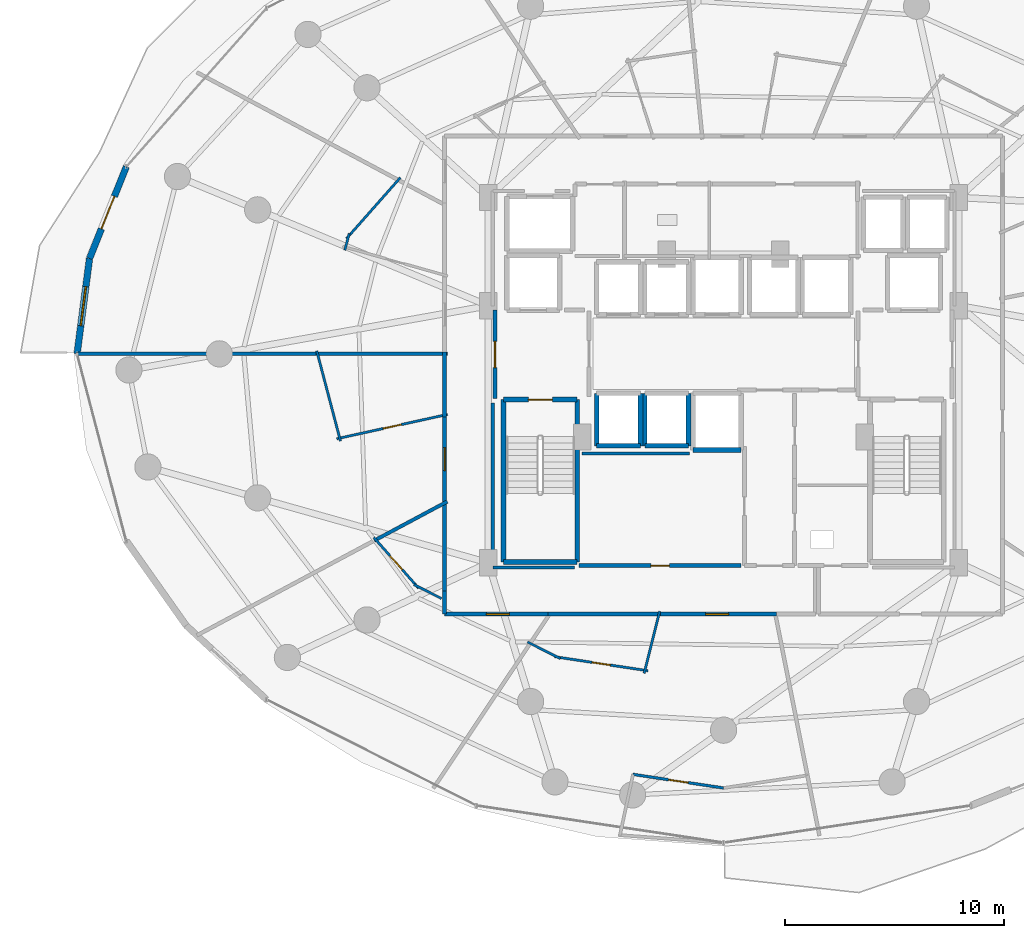
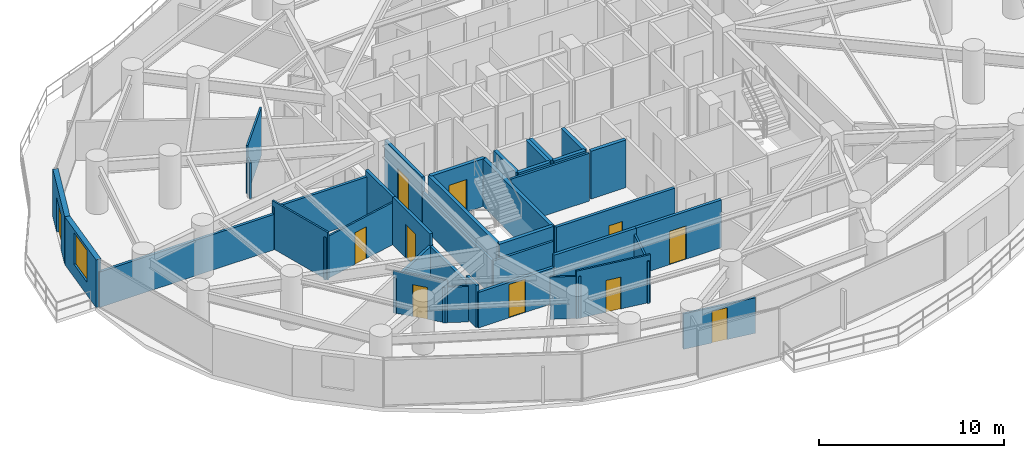
# One storey, part 26 of 34: 38 walls, 11 doors, 1 window, 12 openings.
"""IFC4 building model written with IfcOpenShell, lengths in metres."""

from ifc_helpers import new_model, si_unit, direction, frame, frame_2d, origin, place, context, subcontext, project, spatial, rectangle, extrude, material, layer, layer_set, type_object, element, fill, save


model = new_model("IFC4")

# Units and contexts
model_context = context("Model", 3, precision=1e-05, world=origin(), true_north=direction((0.0, 1.0)))
body_context = subcontext(model_context, "Body", "Model", "MODEL_VIEW")
ifc_project = project(units=[si_unit("LENGTHUNIT", "METRE"), si_unit("AREAUNIT", "SQUARE_METRE"), si_unit("VOLUMEUNIT", "CUBIC_METRE"), si_unit("PLANEANGLEUNIT", "RADIAN"), si_unit("MASSUNIT", "GRAM", prefix="KILO")], contexts=[model_context])

# Site, building, storey
site_placement = place(None, origin())
site = spatial("IfcSite", under=ifc_project, at=site_placement, CompositionType="ELEMENT")
building_placement = place(site_placement, origin())
building = spatial("IfcBuilding", under=site, at=building_placement, Name="Vorneva Point Tower", CompositionType="ELEMENT")
storey_placement = place(building_placement, frame((0.0, 0.0, 66.0)))
storey = spatial("IfcBuildingStorey", under=building, at=storey_placement, Name="L17", CompositionType="ELEMENT", Elevation=66.0)

# Wall, opening, door
ifc_material_1 = material(Name="Precast concrete B50 (C40/50)", Category="concrete")
ifc_layer_1 = layer(ifc_material_1, 0.300048828125)
ifc_layer_set_1 = layer_set([ifc_layer_1], Name="Precast concrete B50 (C40/50)")
wall_type_1 = type_object("IfcWallType", Name="WL-EXT-300", PredefinedType="STANDARD", material=ifc_layer_set_1)
wall_1_placement = place(storey_placement, frame((10.699462890625, 34.552978515625, 0.0), z_axis=(0.0, 0.0, 1.0), x_axis=(-0.372266423315, -0.928125912833, 0.0)))
wall_1 = element("IfcWall", 1, at=wall_1_placement, inside=storey, type_object=wall_type_1, Name="L17 Pale-Metal Facade Spandrel Wall 08.1", PredefinedType="STANDARD", context=body_context, shape_type="SweptSolid", body=[
    extrude(rectangle(XDim=4.517333984375, YDim=0.300048828125, at=frame_2d((2.2587890625, 0.0))), origin(), (0.0, 0.0, 1.0), 3.14990234375),
])
opening_1_placement = place(wall_1_placement, frame((1.458740234375, 0.0, 0.0)))
opening_1 = element("IfcOpeningElement", 2, at=opening_1_placement, cuts=wall_1, Name="Opening BD-01", PredefinedType="OPENING", context=body_context, shape_type="SweptSolid", body=[
    extrude(rectangle(XDim=1.60009765625, YDim=2.300048828125, at=frame_2d((0.800048828125, 1.14990234375))), frame((0.0, 0.1650390625, 0.0), z_axis=(0.0, -1.0, 0.0), x_axis=(1.0, 0.0, 0.0)), (0.0, 0.0, 1.0), 0.329833984375),
])
ifc_material_2 = material(Name="Pale anodised aluminium", Category="aluminium")
door_type_1 = type_object("IfcDoorType", Name="DR-BAL-1600", OperationType="SLIDING_TO_LEFT", PredefinedType="DOOR", material=ifc_material_2)
door_1_placement = place(opening_1_placement, origin())
door_1 = element("IfcDoor", 3, at=door_1_placement, inside=storey, type_object=door_type_1, Name="L17 Balcony Terrace Access Door 08", OperationType="SLIDING_TO_LEFT", OverallHeight=2.300048828125, OverallWidth=1.60009765625, PredefinedType="DOOR", context=body_context, shape_type="SweptSolid", body=[
    extrude(rectangle(XDim=1.60009765625, YDim=2.300048828125, at=frame_2d((0.800048828125, 1.14990234375))), frame((0.0, 0.02490234375, 0.0), z_axis=(0.0, -1.0, 0.0), x_axis=(1.0, 0.0, 0.0)), (0.0, 0.0, 1.0), 0.050048828125),
])
fill(opening_1, door_1)

# Wall, opening, window
wall_2_placement = place(storey_placement, frame((9.017822265625, 30.3603515625, 0.0), z_axis=(0.0, 0.0, 1.0), x_axis=(-0.129144544413, -0.99162577954, 0.0)))
wall_2 = element("IfcWall", 4, at=wall_2_placement, inside=storey, type_object=wall_type_1, Name="L17 Pale-Metal Facade Spandrel Wall 08.2", PredefinedType="STANDARD", context=body_context, shape_type="SweptSolid", body=[
    extrude(rectangle(XDim=4.397216796875, YDim=0.300048828125, at=frame_2d((2.19873046875, 0.0))), origin(), (0.0, 0.0, 1.0), 3.14990234375),
])
opening_2_placement = place(wall_2_placement, frame((1.298583984375, 0.0, 0.85009765625)))
opening_2 = element("IfcOpeningElement", 5, at=opening_2_placement, cuts=wall_2, Name="Opening W-01", PredefinedType="OPENING", context=body_context, shape_type="SweptSolid", body=[
    extrude(rectangle(XDim=1.800048828125, YDim=2.10009765625, at=frame_2d((0.89990234375, 1.050048828125))), frame((0.0, 0.1650390625, 0.0), z_axis=(0.0, -1.0, 0.0), x_axis=(1.0, 0.0, 0.0)), (0.0, 0.0, 1.0), 0.329833984375),
])
ifc_material_3 = material(Name="Double low-e laminated glass IGU", Category="glass")
window_type = type_object("IfcWindowType", Name="WN-LOG-1800", PartitioningType="SINGLE_PANEL", PredefinedType="WINDOW", material=ifc_material_3)
window_placement = place(opening_2_placement, origin())
window = element("IfcWindow", 6, at=window_placement, inside=storey, type_object=window_type, Name="L17 Facade Window 08", OverallHeight=2.10009765625, OverallWidth=1.800048828125, PartitioningType="SINGLE_PANEL", PredefinedType="WINDOW", context=body_context, shape_type="SweptSolid", body=[
    extrude(rectangle(XDim=1.800048828125, YDim=2.10009765625, at=frame_2d((0.89990234375, 1.050048828125))), frame((0.0, 0.030029296875, 0.0), z_axis=(0.0, -1.0, 0.0), x_axis=(1.0, 0.0, 0.0)), (0.0, 0.0, 1.0), 0.06005859375),
])
fill(opening_2, window)

# Walls
ifc_material_4 = material(Name="Fire-rated acoustic gypsum stud partition", Category="gypsum")
ifc_layer_2 = layer(ifc_material_4, 0.110107421875)
ifc_layer_set_2 = layer_set([ifc_layer_2], Name="Fire-rated acoustic gypsum stud partition")
wall_type_2 = type_object("IfcWallType", Name="WL-PART-110", PredefinedType="PARTITIONING", material=ifc_layer_set_2)
wall_3_placement = place(storey_placement, frame((20.686279296875, 30.737548828125, 0.0), z_axis=(0.0, 0.0, 1.0), x_axis=(0.254583995409, 0.967050665313, 0.0)))
element("IfcWall", 7, at=wall_3_placement, inside=storey, type_object=wall_type_2, Name="L17 Interior Partition 070", PredefinedType="PARTITIONING", context=body_context, shape_type="SweptSolid", body=[
    extrude(rectangle(XDim=0.794921875, YDim=0.110107421875, at=frame_2d((0.3974609375, 0.0))), origin(), (0.0, 0.0, 1.0), 2.342041015625),
])
wall_4_placement = place(storey_placement, frame((20.76025390625, 31.26611328125, 0.0), z_axis=(0.0, 0.0, 1.0), x_axis=(0.662136072578, 0.74938362765, 0.0)))
element("IfcWall", 8, at=wall_4_placement, inside=storey, type_object=wall_type_2, Name="L17 Interior Partition 071", PredefinedType="PARTITIONING", context=body_context, shape_type="SweptSolid", body=[
    extrude(rectangle(XDim=3.718994140625, YDim=0.110107421875, at=frame_2d((1.859375, 0.0))), origin(), (0.0, 0.0, 1.0), 3.14990234375),
])
wall_5_placement = place(storey_placement, frame((20.488525390625, 22.0146484375, 0.0), z_axis=(0.0, 0.0, 1.0), x_axis=(-0.254448175288, 0.967086410872, 0.0)))
element("IfcWall", 9, at=wall_5_placement, inside=storey, type_object=wall_type_2, Name="L17 Interior Partition 075", PredefinedType="PARTITIONING", context=body_context, shape_type="SweptSolid", body=[
    extrude(rectangle(XDim=4.260986328125, YDim=0.110107421875, at=frame_2d((2.13037109375, 0.0))), origin(), (0.0, 0.0, 1.0), 3.14990234375),
])

# Wall, opening, door
wall_6_placement = place(storey_placement, frame((25.38671875, 23.23291015625, 0.0), z_axis=(0.0, 0.0, 1.0), x_axis=(-0.976752510269, -0.214370085796, 0.0)))
wall_6 = element("IfcWall", 10, at=wall_6_placement, inside=storey, type_object=wall_type_2, Name="L17 Interior Partition 076", PredefinedType="PARTITIONING", context=body_context, shape_type="SweptSolid", body=[
    extrude(rectangle(XDim=5.19091796875, YDim=0.110107421875, at=frame_2d((2.595458984375, 0.0))), origin(), (0.0, 0.0, 1.0), 2.783935546875),
])
opening_3_placement = place(wall_6_placement, frame((2.170654296875, 0.0, 0.0)))
opening_3 = element("IfcOpeningElement", 11, at=opening_3_placement, cuts=wall_6, Name="Opening ID-02", PredefinedType="OPENING", context=body_context, shape_type="SweptSolid", body=[
    extrude(rectangle(XDim=0.85009765625, YDim=2.10009765625, at=frame_2d((0.425048828125, 1.050048828125))), frame((0.0, 0.06982421875, 0.0), z_axis=(0.0, -1.0, 0.0), x_axis=(1.0, 0.0, 0.0)), (0.0, 0.0, 1.0), 0.139892578125),
])
ifc_material_5 = material(Name="Engineered oak fire-rated door leaf", Category="wood")
door_type_2 = type_object("IfcDoorType", Name="DR-BATH-850", OperationType="NOTDEFINED", PredefinedType="DOOR", material=ifc_material_5)
door_2_placement = place(opening_3_placement, origin())
door_2 = element("IfcDoor", 12, at=door_2_placement, inside=storey, type_object=door_type_2, Name="L17 Door Executive Suite L17-07 / En-Suite Bathroom L17-07", OperationType="SINGLE_SWING_LEFT", OverallHeight=2.10009765625, OverallWidth=0.85009765625, PredefinedType="DOOR", context=body_context, shape_type="SweptSolid", body=[
    extrude(rectangle(XDim=0.85009765625, YDim=2.10009765625, at=frame_2d((0.425048828125, 1.050048828125))), frame((0.0, 0.02490234375, 0.0), z_axis=(0.0, -1.0, 0.0), x_axis=(1.0, 0.0, 0.0)), (0.0, 0.0, 1.0), 0.050048828125),
])
fill(opening_3, door_2)

# Wall
wall_7_placement = place(storey_placement, frame((25.10595703125, 14.81689453125, 0.0), z_axis=(0.0, 0.0, 1.0), x_axis=(-0.892342346526, 0.451359210161, 0.0)))
element("IfcWall", 13, at=wall_7_placement, inside=storey, type_object=wall_type_2, Name="L17 Interior Partition 079", PredefinedType="PARTITIONING", context=body_context, shape_type="SweptSolid", body=[
    extrude(rectangle(XDim=1.411865234375, YDim=0.110107421875, at=frame_2d((0.7060546875, 0.0))), origin(), (0.0, 0.0, 1.0), 2.342041015625),
])

# Wall, opening, door
wall_8_placement = place(storey_placement, frame((24.063720703125, 15.2861328125, 0.0), z_axis=(0.0, 0.0, 1.0), x_axis=(-0.662165912504, 0.749357260802, 0.0)))
wall_8 = element("IfcWall", 14, at=wall_8_placement, inside=storey, type_object=wall_type_2, Name="L17 Interior Partition 080", PredefinedType="PARTITIONING", context=body_context, shape_type="SweptSolid", body=[
    extrude(rectangle(XDim=3.099609375, YDim=0.110107421875, at=frame_2d((1.5498046875, 0.0))), origin(), (0.0, 0.0, 1.0), 2.783935546875),
])
opening_4_placement = place(wall_8_placement, frame((1.124755859375, 0.0, 0.0)))
opening_4 = element("IfcOpeningElement", 15, at=opening_4_placement, cuts=wall_8, Name="Opening ID-02", PredefinedType="OPENING", context=body_context, shape_type="SweptSolid", body=[
    extrude(rectangle(XDim=0.85009765625, YDim=2.10009765625, at=frame_2d((0.425048828125, 1.050048828125))), frame((0.0, 0.06982421875, 0.0), z_axis=(0.0, -1.0, 0.0), x_axis=(1.0, 0.0, 0.0)), (0.0, 0.0, 1.0), 0.139892578125),
])
door_3_placement = place(opening_4_placement, origin())
door_3 = element("IfcDoor", 16, at=door_3_placement, inside=storey, type_object=door_type_2, Name="L17 Door Corner Suite L17-08 / En-Suite Bathroom L17-08", OperationType="SINGLE_SWING_RIGHT", OverallHeight=2.10009765625, OverallWidth=0.85009765625, PredefinedType="DOOR", context=body_context, shape_type="SweptSolid", body=[
    extrude(rectangle(XDim=0.85009765625, YDim=2.10009765625, at=frame_2d((0.425048828125, 1.050048828125))), frame((0.0, 0.02490234375, 0.0), z_axis=(0.0, -1.0, 0.0), x_axis=(1.0, 0.0, 0.0)), (0.0, 0.0, 1.0), 0.050048828125),
])
fill(opening_4, door_3)

# Wall
wall_9_placement = place(storey_placement, frame((35.077880859375, 14.23583984375, 0.0), z_axis=(0.0, 0.0, 1.0), x_axis=(-0.241139515231, -0.97049046064, 0.0)))
element("IfcWall", 17, at=wall_9_placement, inside=storey, type_object=wall_type_2, Name="L17 Interior Partition 082", PredefinedType="PARTITIONING", context=body_context, shape_type="SweptSolid", body=[
    extrude(rectangle(XDim=2.921875, YDim=0.110107421875, at=frame_2d((1.4609375, 0.0))), origin(), (0.0, 0.0, 1.0), 2.783935546875),
])

# Wall, opening, door
wall_10_placement = place(storey_placement, frame((34.54541015625, 11.51513671875, 0.0), z_axis=(0.0, 0.0, 1.0), x_axis=(-0.98886251361, 0.148831882259, 0.0)))
wall_10 = element("IfcWall", 18, at=wall_10_placement, inside=storey, type_object=wall_type_2, Name="L17 Interior Partition 083", PredefinedType="PARTITIONING", context=body_context, shape_type="SweptSolid", body=[
    extrude(rectangle(XDim=4.323974609375, YDim=0.110107421875, at=frame_2d((2.162109375, 0.0))), origin(), (0.0, 0.0, 1.0), 3.14990234375),
])
opening_5_placement = place(wall_10_placement, frame((1.737060546875, 0.0, 0.0)))
opening_5 = element("IfcOpeningElement", 19, at=opening_5_placement, cuts=wall_10, Name="Opening ID-02", PredefinedType="OPENING", context=body_context, shape_type="SweptSolid", body=[
    extrude(rectangle(XDim=0.85009765625, YDim=2.10009765625, at=frame_2d((0.425048828125, 1.050048828125))), frame((0.0, 0.06982421875, 0.0), z_axis=(0.0, -1.0, 0.0), x_axis=(1.0, 0.0, 0.0)), (0.0, 0.0, 1.0), 0.139892578125),
])
door_4_placement = place(opening_5_placement, origin())
door_4 = element("IfcDoor", 20, at=door_4_placement, inside=storey, type_object=door_type_2, Name="L17 Door Junior Suite L17-09 / En-Suite Bathroom L17-09", OperationType="SINGLE_SWING_LEFT", OverallHeight=2.10009765625, OverallWidth=0.85009765625, PredefinedType="DOOR", context=body_context, shape_type="SweptSolid", body=[
    extrude(rectangle(XDim=0.85009765625, YDim=2.10009765625, at=frame_2d((0.425048828125, 1.050048828125))), frame((0.0, 0.02490234375, 0.0), z_axis=(0.0, -1.0, 0.0), x_axis=(1.0, 0.0, 0.0)), (0.0, 0.0, 1.0), 0.050048828125),
])
fill(opening_5, door_4)

# Wall
wall_11_placement = place(storey_placement, frame((30.532958984375, 12.07470703125, 0.0), z_axis=(0.0, 0.0, 1.0), x_axis=(-0.892352223768, 0.451339682209, 0.0)))
element("IfcWall", 21, at=wall_11_placement, inside=storey, type_object=wall_type_2, Name="L17 Interior Partition 084", PredefinedType="PARTITIONING", context=body_context, shape_type="SweptSolid", body=[
    extrude(rectangle(XDim=1.678466796875, YDim=0.110107421875, at=frame_2d((0.83935546875, 0.0))), origin(), (0.0, 0.0, 1.0), 2.783935546875),
])

# Wall, opening, door
ifc_layer_3 = layer(ifc_material_4, 0.125)
ifc_layer_set_3 = layer_set([ifc_layer_3], Name="Fire-rated acoustic gypsum stud partition")
wall_type_3 = type_object("IfcWallType", Name="WL-PART-125", PredefinedType="PARTITIONING", material=ifc_layer_set_3)
wall_12_placement = place(storey_placement, frame((33.862060546875, 6.779052734375, 0.0), z_axis=(0.0, 0.0, 1.0), x_axis=(0.988853606593, -0.148891049857, 0.0)))
wall_12 = element("IfcWall", 22, at=wall_12_placement, inside=storey, type_object=wall_type_3, Name="L17 Interior Partition 086", PredefinedType="PARTITIONING", context=body_context, shape_type="SweptSolid", body=[
    extrude(rectangle(XDim=4.1845703125, YDim=0.125, at=frame_2d((2.09228515625, 0.0))), origin(), (0.0, 0.0, 1.0), 2.342041015625),
])
opening_6_placement = place(wall_12_placement, frame((1.642333984375, 0.0, 0.0)))
opening_6 = element("IfcOpeningElement", 23, at=opening_6_placement, cuts=wall_12, Name="Opening ID-01", PredefinedType="OPENING", context=body_context, shape_type="SweptSolid", body=[
    extrude(rectangle(XDim=0.89990234375, YDim=2.10009765625, at=frame_2d((0.449951171875, 1.050048828125))), frame((0.0, 0.077392578125, 0.0), z_axis=(0.0, -1.0, 0.0), x_axis=(1.0, 0.0, 0.0)), (0.0, 0.0, 1.0), 0.15478515625),
])
door_type_3 = type_object("IfcDoorType", Name="DR-ROOM-900", OperationType="NOTDEFINED", PredefinedType="DOOR", material=ifc_material_5)
door_5_placement = place(opening_6_placement, origin())
door_5 = element("IfcDoor", 24, at=door_5_placement, inside=storey, type_object=door_type_3, Name="L17 Door Junior Suite L17-09 / Suite Sitting Study L17-09", OperationType="SINGLE_SWING_LEFT", OverallHeight=2.10009765625, OverallWidth=0.89990234375, PredefinedType="DOOR", context=body_context, shape_type="SweptSolid", body=[
    extrude(rectangle(XDim=0.89990234375, YDim=2.10009765625, at=frame_2d((0.449951171875, 1.050048828125))), frame((0.0, 0.02490234375, 0.0), z_axis=(0.0, -1.0, 0.0), x_axis=(1.0, 0.0, 0.0)), (0.0, 0.0, 1.0), 0.050048828125),
])
fill(opening_6, door_5)

# Walls
ifc_layer_4 = layer(ifc_material_4, 0.139892578125)
ifc_layer_set_4 = layer_set([ifc_layer_4], Name="Fire-rated acoustic gypsum stud partition")
wall_type_4 = type_object("IfcWallType", Name="WL-PART-140", PredefinedType="PARTITIONING", material=ifc_layer_set_4)
wall_13_placement = place(storey_placement, frame((36.43896484375, 21.449951171875, 0.0), z_axis=(0.0, 0.0, 1.0), x_axis=(-1.0, 0.0, 0.0)))
element("IfcWall", 25, at=wall_13_placement, inside=storey, type_object=wall_type_4, Name="L17 Interior Closure Partition 099", PredefinedType="PARTITIONING", context=body_context, shape_type="SweptSolid", body=[
    extrude(rectangle(XDim=4.908935546875, YDim=0.139892578125, at=frame_2d((2.45458984375, 0.0))), origin(), (0.0, 0.0, 1.0), 3.14990234375),
])
wall_14_placement = place(storey_placement, frame((31.195068359375, 16.239990234375, 0.0), z_axis=(0.0, 0.0, 1.0), x_axis=(-1.0, 0.0, 0.0)))
element("IfcWall", 26, at=wall_14_placement, inside=storey, type_object=wall_type_4, Name="L17 Interior Closure Partition 104", PredefinedType="PARTITIONING", context=body_context, shape_type="SweptSolid", body=[
    extrude(rectangle(XDim=3.7451171875, YDim=0.139892578125, at=frame_2d((1.87255859375, 0.0))), origin(), (0.0, 0.0, 1.0), 2.342041015625),
])
wall_15_placement = place(storey_placement, frame((27.449951171875, 16.239990234375, 0.0), z_axis=(0.0, 0.0, 1.0), x_axis=(0.0, 1.0, 0.0)))
element("IfcWall", 27, at=wall_15_placement, inside=storey, type_object=wall_type_4, Name="L17 Interior Closure Partition 105", PredefinedType="PARTITIONING", context=body_context, shape_type="SweptSolid", body=[
    extrude(rectangle(XDim=7.513916015625, YDim=0.139892578125, at=frame_2d((3.7568359375, 0.0))), origin(), (0.0, 0.0, 1.0), 2.342041015625),
])
ifc_layer_5 = layer(ifc_material_4, 0.159912109375)
ifc_layer_set_5 = layer_set([ifc_layer_5], Name="Fire-rated acoustic gypsum stud partition")
wall_type_5 = type_object("IfcWallType", Name="WL-PART-160", PredefinedType="PARTITIONING", material=ifc_layer_set_5)
wall_16_placement = place(storey_placement, frame((8.450927734375, 26.0, 0.0), z_axis=(0.0, 0.0, 1.0), x_axis=(1.0, 0.0, 0.0)))
element("IfcWall", 28, at=wall_16_placement, inside=storey, type_object=wall_type_5, Name="L17 Interior Partition 073", PredefinedType="PARTITIONING", context=body_context, shape_type="SweptSolid", body=[
    extrude(rectangle(XDim=11.051025390625, YDim=0.159912109375, at=frame_2d((5.525390625, 0.0))), origin(), (0.0, 0.0, 1.0), 2.342041015625),
])
wall_17_placement = place(storey_placement, frame((19.362060546875, 26.0, 0.0), z_axis=(0.0, 0.0, 1.0), x_axis=(1.0, 0.0, 0.0)))
element("IfcWall", 29, at=wall_17_placement, inside=storey, type_object=wall_type_5, Name="L17 Interior Partition 074", PredefinedType="PARTITIONING", context=body_context, shape_type="SweptSolid", body=[
    extrude(rectangle(XDim=6.02783203125, YDim=0.159912109375, at=frame_2d((3.013916015625, 0.0))), origin(), (0.0, 0.0, 1.0), 2.783935546875),
])
wall_18_placement = place(storey_placement, frame((22.03564453125, 17.466796875, 0.0), z_axis=(0.0, 0.0, 1.0), x_axis=(0.881916873027, 0.471404952317, 0.0)))
element("IfcWall", 30, at=wall_18_placement, inside=storey, type_object=wall_type_5, Name="L17 Interior Partition 078", PredefinedType="PARTITIONING", context=body_context, shape_type="SweptSolid", body=[
    extrude(rectangle(XDim=3.784912109375, YDim=0.159912109375, at=frame_2d((1.892578125, 0.0))), origin(), (0.0, 0.0, 1.0), 2.342041015625),
])

# Wall, opening, door
ifc_material_6 = material(Name="Autoclaved aerated concrete blockwork", Category="masonry")
ifc_layer_6 = layer(ifc_material_6, 0.179931640625)
ifc_layer_set_6 = layer_set([ifc_layer_6], Name="Autoclaved aerated concrete blockwork")
wall_type_6 = type_object("IfcWallType", Name="WL-PART-180", PredefinedType="PARTITIONING", material=ifc_layer_set_6)
wall_19_placement = place(storey_placement, frame((27.550048828125, 28.0, 0.0), z_axis=(0.0, 0.0, 1.0), x_axis=(0.0, -1.0, 0.0)))
wall_19 = element("IfcWall", 31, at=wall_19_placement, inside=storey, type_object=wall_type_6, Name="L17 Interior Partition 002", PredefinedType="PARTITIONING", context=body_context, shape_type="SweptSolid", body=[
    extrude(rectangle(XDim=4.050048828125, YDim=0.179931640625, at=frame_2d((2.02490234375, 0.0))), origin(), (0.0, 0.0, 1.0), 3.14990234375),
])
opening_7_placement = place(wall_19_placement, frame((1.425048828125, 0.0, 0.0)))
opening_7 = element("IfcOpeningElement", 32, at=opening_7_placement, cuts=wall_19, Name="Opening FD-02", PredefinedType="OPENING", context=body_context, shape_type="SweptSolid", body=[
    extrude(rectangle(XDim=1.199951171875, YDim=2.14990234375, at=frame_2d((0.60009765625, 1.074951171875))), frame((0.0, 0.10498046875, 0.0), z_axis=(0.0, -1.0, 0.0), x_axis=(1.0, 0.0, 0.0)), (0.0, 0.0, 1.0), 0.209716796875),
])
ifc_material_7 = material(Name="Fire-rated powder-coated steel", Category="steel")
door_type_4 = type_object("IfcDoorType", Name="DR-FFL-1200", OperationType="NOTDEFINED", PredefinedType="DOOR", material=ifc_material_7)
door_6_placement = place(opening_7_placement, origin())
door_6 = element("IfcDoor", 33, at=door_6_placement, inside=storey, type_object=door_type_4, Name="L17 Door West Firefighting Lobby / L17 Circulation Corridor", OperationType="SINGLE_SWING_RIGHT", OverallHeight=2.14990234375, OverallWidth=1.199951171875, PredefinedType="DOOR", context=body_context, shape_type="SweptSolid", body=[
    extrude(rectangle(XDim=1.199951171875, YDim=2.14990234375, at=frame_2d((0.60009765625, 1.074951171875))), frame((0.0, 0.02490234375, 0.0), z_axis=(0.0, -1.0, 0.0), x_axis=(1.0, 0.0, 0.0)), (0.0, 0.0, 1.0), 0.050048828125),
])
fill(opening_7, door_6)

wall_20_placement = place(storey_placement, frame((31.39990234375, 16.320068359375, 0.0), z_axis=(0.0, 0.0, 1.0), x_axis=(1.0, 0.0, 0.0)))
wall_20 = element("IfcWall", 34, at=wall_20_placement, inside=storey, type_object=wall_type_6, Name="L17 Interior Partition 021", PredefinedType="PARTITIONING", context=body_context, shape_type="SweptSolid", body=[
    extrude(rectangle(XDim=7.400146484375, YDim=0.179931640625, at=frame_2d((3.7001953125, 0.0))), origin(), (0.0, 0.0, 1.0), 3.14990234375),
])
opening_8_placement = place(wall_20_placement, frame((3.27490234375, 0.0, 0.0)))
opening_8 = element("IfcOpeningElement", 35, at=opening_8_placement, cuts=wall_20, Name="Opening ID-02", PredefinedType="OPENING", context=body_context, shape_type="SweptSolid", body=[
    extrude(rectangle(XDim=0.85009765625, YDim=2.10009765625, at=frame_2d((0.425048828125, 1.050048828125))), frame((0.0, 0.10498046875, 0.0), z_axis=(0.0, -1.0, 0.0), x_axis=(1.0, 0.0, 0.0)), (0.0, 0.0, 1.0), 0.209716796875),
])
door_7_placement = place(opening_8_placement, origin())
door_7 = element("IfcDoor", 36, at=door_7_placement, inside=storey, type_object=door_type_2, Name="L17 Door Housekeeping and Linen Room / L17 Circulation Corridor", OperationType="SINGLE_SWING_LEFT", OverallHeight=2.10009765625, OverallWidth=0.85009765625, PredefinedType="DOOR", context=body_context, shape_type="SweptSolid", body=[
    extrude(rectangle(XDim=0.85009765625, YDim=2.10009765625, at=frame_2d((0.425048828125, 1.050048828125))), frame((0.0, 0.02490234375, 0.0), z_axis=(0.0, -1.0, 0.0), x_axis=(1.0, 0.0, 0.0)), (0.0, 0.0, 1.0), 0.050048828125),
])
fill(opening_8, door_7)

wall_21_placement = place(storey_placement, frame((25.25, 23.262939453125, 0.0), z_axis=(0.0, 0.0, 1.0), x_axis=(0.0, -1.0, 0.0)))
wall_21 = element("IfcWall", 37, at=wall_21_placement, inside=storey, type_object=wall_type_6, Name="L17 Interior Partition 036", PredefinedType="PARTITIONING", context=body_context, shape_type="SweptSolid", body=[
    extrude(rectangle(XDim=4.14599609375, YDim=0.179931640625, at=frame_2d((2.072998046875, 0.0))), origin(), (0.0, 0.0, 1.0), 3.14990234375),
])
opening_9_placement = place(wall_21_placement, frame((1.548095703125, 0.0, 0.0)))
opening_9 = element("IfcOpeningElement", 38, at=opening_9_placement, cuts=wall_21, Name="Opening UD-02", PredefinedType="OPENING", context=body_context, shape_type="SweptSolid", body=[
    extrude(rectangle(XDim=1.050048828125, YDim=2.199951171875, at=frame_2d((0.52490234375, 1.10009765625))), frame((0.0, 0.10498046875, 0.0), z_axis=(0.0, -1.0, 0.0), x_axis=(1.0, 0.0, 0.0)), (0.0, 0.0, 1.0), 0.209716796875),
])
door_type_5 = type_object("IfcDoorType", Name="DR-SUITE-1050", OperationType="NOTDEFINED", PredefinedType="DOOR", material=ifc_material_5)
door_8_placement = place(opening_9_placement, origin())
door_8 = element("IfcDoor", 39, at=door_8_placement, inside=storey, type_object=door_type_5, Name="L17 Door L17 Circulation Corridor / Executive Suite L17-07", OperationType="SINGLE_SWING_RIGHT", OverallHeight=2.199951171875, OverallWidth=1.050048828125, PredefinedType="DOOR", context=body_context, shape_type="SweptSolid", body=[
    extrude(rectangle(XDim=1.050048828125, YDim=2.199951171875, at=frame_2d((0.52490234375, 1.10009765625))), frame((0.0, 0.02490234375, 0.0), z_axis=(0.0, -1.0, 0.0), x_axis=(1.0, 0.0, 0.0)), (0.0, 0.0, 1.0), 0.050048828125),
])
fill(opening_9, door_8)

# Walls
wall_22_placement = place(storey_placement, frame((25.25, 26.080078125, 0.0), z_axis=(0.0, 0.0, 1.0), x_axis=(0.0, -1.0, 0.0)))
element("IfcWall", 40, at=wall_22_placement, inside=storey, type_object=wall_type_6, Name="L17 Interior Partition 037", PredefinedType="PARTITIONING", context=body_context, shape_type="SweptSolid", body=[
    extrude(rectangle(XDim=2.95703125, YDim=0.179931640625, at=frame_2d((1.478515625, 0.0))), origin(), (0.0, 0.0, 1.0), 3.14990234375),
])
wall_23_placement = place(storey_placement, frame((25.25, 15.169921875, 0.0), z_axis=(0.0, 0.0, 1.0), x_axis=(0.0, -1.0, 0.0)))
element("IfcWall", 41, at=wall_23_placement, inside=storey, type_object=wall_type_6, Name="L17 Interior Partition 038", PredefinedType="PARTITIONING", context=body_context, shape_type="SweptSolid", body=[
    extrude(rectangle(XDim=1.06982421875, YDim=0.179931640625, at=frame_2d((0.534912109375, 0.0))), origin(), (0.0, 0.0, 1.0), 2.783935546875),
])

# Wall, opening, door
wall_24_placement = place(storey_placement, frame((25.25, 14.10009765625, 0.0), z_axis=(0.0, 0.0, 1.0), x_axis=(1.0, 0.0, 0.0)))
wall_24 = element("IfcWall", 42, at=wall_24_placement, inside=storey, type_object=wall_type_6, Name="L17 Interior Partition 039", PredefinedType="PARTITIONING", context=body_context, shape_type="SweptSolid", body=[
    extrude(rectangle(XDim=4.85888671875, YDim=0.179931640625, at=frame_2d((2.429443359375, 0.0))), origin(), (0.0, 0.0, 1.0), 2.342041015625),
])
opening_10_placement = place(wall_24_placement, frame((1.904541015625, 0.0, 0.0)))
opening_10 = element("IfcOpeningElement", 43, at=opening_10_placement, cuts=wall_24, Name="Opening UD-02", PredefinedType="OPENING", context=body_context, shape_type="SweptSolid", body=[
    extrude(rectangle(XDim=1.050048828125, YDim=2.199951171875, at=frame_2d((0.52490234375, 1.10009765625))), frame((0.0, 0.10498046875, 0.0), z_axis=(0.0, -1.0, 0.0), x_axis=(1.0, 0.0, 0.0)), (0.0, 0.0, 1.0), 0.209716796875),
])
door_9_placement = place(opening_10_placement, origin())
door_9 = element("IfcDoor", 44, at=door_9_placement, inside=storey, type_object=door_type_5, Name="L17 Door L17 Circulation Corridor / Corner Suite L17-08", OperationType="SINGLE_SWING_LEFT", OverallHeight=2.199951171875, OverallWidth=1.050048828125, PredefinedType="DOOR", context=body_context, shape_type="SweptSolid", body=[
    extrude(rectangle(XDim=1.050048828125, YDim=2.199951171875, at=frame_2d((0.52490234375, 1.10009765625))), frame((0.0, 0.02490234375, 0.0), z_axis=(0.0, -1.0, 0.0), x_axis=(1.0, 0.0, 0.0)), (0.0, 0.0, 1.0), 0.050048828125),
])
fill(opening_10, door_9)

# Wall
wall_25_placement = place(storey_placement, frame((25.25, 19.257080078125, 0.0), z_axis=(0.0, 0.0, 1.0), x_axis=(0.0, -1.0, 0.0)))
element("IfcWall", 45, at=wall_25_placement, inside=storey, type_object=wall_type_6, Name="L17 Interior Partition 040", PredefinedType="PARTITIONING", context=body_context, shape_type="SweptSolid", body=[
    extrude(rectangle(XDim=4.22705078125, YDim=0.179931640625, at=frame_2d((2.113525390625, 0.0))), origin(), (0.0, 0.0, 1.0), 2.342041015625),
])

# Wall, opening, door
wall_26_placement = place(storey_placement, frame((34.98193359375, 14.10009765625, 0.0), z_axis=(0.0, 0.0, 1.0), x_axis=(1.0, 0.0, 0.0)))
wall_26 = element("IfcWall", 46, at=wall_26_placement, inside=storey, type_object=wall_type_6, Name="L17 Interior Partition 041", PredefinedType="PARTITIONING", context=body_context, shape_type="SweptSolid", body=[
    extrude(rectangle(XDim=5.446044921875, YDim=0.179931640625, at=frame_2d((2.72314453125, 0.0))), origin(), (0.0, 0.0, 1.0), 3.14990234375),
])
opening_11_placement = place(wall_26_placement, frame((2.197998046875, 0.0, 0.0)))
opening_11 = element("IfcOpeningElement", 47, at=opening_11_placement, cuts=wall_26, Name="Opening UD-02", PredefinedType="OPENING", context=body_context, shape_type="SweptSolid", body=[
    extrude(rectangle(XDim=1.050048828125, YDim=2.199951171875, at=frame_2d((0.52490234375, 1.10009765625))), frame((0.0, 0.10498046875, 0.0), z_axis=(0.0, -1.0, 0.0), x_axis=(1.0, 0.0, 0.0)), (0.0, 0.0, 1.0), 0.209716796875),
])
door_10_placement = place(opening_11_placement, origin())
door_10 = element("IfcDoor", 48, at=door_10_placement, inside=storey, type_object=door_type_5, Name="L17 Door L17 Circulation Corridor / Junior Suite L17-09", OperationType="SINGLE_SWING_RIGHT", OverallHeight=2.199951171875, OverallWidth=1.050048828125, PredefinedType="DOOR", context=body_context, shape_type="SweptSolid", body=[
    extrude(rectangle(XDim=1.050048828125, YDim=2.199951171875, at=frame_2d((0.52490234375, 1.10009765625))), frame((0.0, 0.02490234375, 0.0), z_axis=(0.0, -1.0, 0.0), x_axis=(1.0, 0.0, 0.0)), (0.0, 0.0, 1.0), 0.050048828125),
])
fill(opening_11, door_10)

# Wall
wall_27_placement = place(storey_placement, frame((29.968994140625, 14.10009765625, 0.0), z_axis=(0.0, 0.0, 1.0), x_axis=(1.0, 0.0, 0.0)))
element("IfcWall", 49, at=wall_27_placement, inside=storey, type_object=wall_type_6, Name="L17 Interior Partition 042", PredefinedType="PARTITIONING", context=body_context, shape_type="SweptSolid", body=[
    extrude(rectangle(XDim=5.153076171875, YDim=0.179931640625, at=frame_2d((2.57666015625, 0.0))), origin(), (0.0, 0.0, 1.0), 3.14990234375),
])

# Wall, opening, door
ifc_material_8 = material(Name="Concrete B50 (C40/50)", Category="concrete")
ifc_layer_7 = layer(ifc_material_8, 0.219970703125)
ifc_layer_set_7 = layer_set([ifc_layer_7], Name="Concrete B50 (C40/50)")
wall_type_7 = type_object("IfcWallType", Name="WL-SHFT-220", PredefinedType="SOLIDWALL", material=ifc_layer_set_7)
wall_28_placement = place(storey_placement, frame((27.93994140625, 23.909912109375, 0.0), z_axis=(0.0, 0.0, 1.0), x_axis=(1.0, 0.0, 0.0)))
wall_28 = element("IfcWall", 50, at=wall_28_placement, inside=storey, type_object=wall_type_7, Name="L17 Exit Stair ST1 Shaft Wall near", PredefinedType="SOLIDWALL", context=body_context, shape_type="SweptSolid", body=[
    extrude(rectangle(XDim=3.3701171875, YDim=0.219970703125, at=frame_2d((1.68505859375, 0.0))), origin(), (0.0, 0.0, 1.0), 3.14990234375),
])
opening_12_placement = place(wall_28_placement, frame((1.135009765625, 0.0, 0.0)))
opening_12 = element("IfcOpeningElement", 51, at=opening_12_placement, cuts=wall_28, Name="Opening FD-01", PredefinedType="OPENING", context=body_context, shape_type="SweptSolid", body=[
    extrude(rectangle(XDim=1.10009765625, YDim=2.14990234375, at=frame_2d((0.550048828125, 1.074951171875))), frame((0.0, 0.125, 0.0), z_axis=(0.0, -1.0, 0.0), x_axis=(1.0, 0.0, 0.0)), (0.0, 0.0, 1.0), 0.249755859375),
])
door_type_6 = type_object("IfcDoorType", Name="DR-STAIR-1100", OperationType="NOTDEFINED", PredefinedType="DOOR", material=ifc_material_7)
door_11_placement = place(opening_12_placement, origin())
door_11 = element("IfcDoor", 52, at=door_11_placement, inside=storey, type_object=door_type_6, Name="L17 Exit Stair ST1 Fire Door", OperationType="SINGLE_SWING_LEFT", OverallHeight=2.14990234375, OverallWidth=1.10009765625, PredefinedType="DOOR", context=body_context, shape_type="SweptSolid", body=[
    extrude(rectangle(XDim=1.10009765625, YDim=2.14990234375, at=frame_2d((0.550048828125, 1.074951171875))), frame((0.0, 0.02490234375, 0.0), z_axis=(0.0, -1.0, 0.0), x_axis=(1.0, 0.0, 0.0)), (0.0, 0.0, 1.0), 0.050048828125),
])
fill(opening_12, door_11)

# Walls
wall_29_placement = place(storey_placement, frame((31.31005859375, 23.909912109375, 0.0), z_axis=(0.0, 0.0, 1.0), x_axis=(0.0, -1.0, 0.0)))
element("IfcWall", 53, at=wall_29_placement, inside=storey, type_object=wall_type_7, Name="L17 Exit Stair ST1 Shaft Wall right", PredefinedType="SOLIDWALL", context=body_context, shape_type="SweptSolid", body=[
    extrude(rectangle(XDim=7.419921875, YDim=0.219970703125, at=frame_2d((3.7099609375, 0.0))), origin(), (0.0, 0.0, 1.0), 3.14990234375),
])
wall_30_placement = place(storey_placement, frame((31.31005859375, 16.489990234375, 0.0), z_axis=(0.0, 0.0, 1.0), x_axis=(-1.0, 0.0, 0.0)))
element("IfcWall", 54, at=wall_30_placement, inside=storey, type_object=wall_type_7, Name="L17 Exit Stair ST1 Shaft Wall far", PredefinedType="SOLIDWALL", context=body_context, shape_type="SweptSolid", body=[
    extrude(rectangle(XDim=3.3701171875, YDim=0.219970703125, at=frame_2d((1.68505859375, 0.0))), origin(), (0.0, 0.0, 1.0), 3.14990234375),
])
wall_31_placement = place(storey_placement, frame((27.93994140625, 16.489990234375, 0.0), z_axis=(0.0, 0.0, 1.0), x_axis=(0.0, 1.0, 0.0)))
element("IfcWall", 55, at=wall_31_placement, inside=storey, type_object=wall_type_7, Name="L17 Exit Stair ST1 Shaft Wall left", PredefinedType="SOLIDWALL", context=body_context, shape_type="SweptSolid", body=[
    extrude(rectangle(XDim=7.419921875, YDim=0.219970703125, at=frame_2d((3.7099609375, 0.0))), origin(), (0.0, 0.0, 1.0), 3.14990234375),
])
wall_32_placement = place(storey_placement, frame((32.199951171875, 21.800048828125, 0.0), z_axis=(0.0, 0.0, 1.0), x_axis=(1.0, 0.0, 0.0)))
element("IfcWall", 56, at=wall_32_placement, inside=storey, type_object=wall_type_7, Name="L17 Lift PL4 Shaft Wall -Y", PredefinedType="SOLIDWALL", context=body_context, shape_type="SweptSolid", body=[
    extrude(rectangle(XDim=2.0, YDim=0.219970703125, at=frame_2d((1.0, 0.0))), origin(), (0.0, 0.0, 1.0), 3.14990234375),
])
for number, where, z_axis, x_axis, name in (
    (57, (34.199951171875, 21.800048828125, 0.0), (0.0, 0.0, 1.0), (0.0, 1.0, 0.0), "L17 Lift PL4 Shaft Wall +X"),
    (58, (32.199951171875, 24.199951171875, 0.0), (0.0, 0.0, 1.0), (0.0, -1.0, 0.0), "L17 Lift PL4 Shaft Wall -X"),
):
    element("IfcWall", number, at=place(storey_placement, frame(where, z_axis=z_axis, x_axis=x_axis)), inside=storey, type_object=wall_type_7, Name=name, PredefinedType="SOLIDWALL", context=body_context, shape_type="SweptSolid", body=[
        extrude(rectangle(XDim=2.39990234375, YDim=0.219970703125, at=frame_2d((1.199951171875, 0.0))), origin(), (0.0, 0.0, 1.0), 3.14990234375),
    ])
wall_33_placement = place(storey_placement, frame((34.39990234375, 21.800048828125, 0.0), z_axis=(0.0, 0.0, 1.0), x_axis=(1.0, 0.0, 0.0)))
element("IfcWall", 59, at=wall_33_placement, inside=storey, type_object=wall_type_7, Name="L17 Lift PL5 Shaft Wall -Y", PredefinedType="SOLIDWALL", context=body_context, shape_type="SweptSolid", body=[
    extrude(rectangle(XDim=2.0, YDim=0.219970703125, at=frame_2d((1.0, 0.0))), origin(), (0.0, 0.0, 1.0), 3.14990234375),
])
for number, where, z_axis, x_axis, name in (
    (60, (36.39990234375, 21.800048828125, 0.0), (0.0, 0.0, 1.0), (0.0, 1.0, 0.0), "L17 Lift PL5 Shaft Wall +X"),
    (61, (34.39990234375, 24.199951171875, 0.0), (0.0, 0.0, 1.0), (0.0, -1.0, 0.0), "L17 Lift PL5 Shaft Wall -X"),
):
    element("IfcWall", number, at=place(storey_placement, frame(where, z_axis=z_axis, x_axis=x_axis)), inside=storey, type_object=wall_type_7, Name=name, PredefinedType="SOLIDWALL", context=body_context, shape_type="SweptSolid", body=[
        extrude(rectangle(XDim=2.39990234375, YDim=0.219970703125, at=frame_2d((1.199951171875, 0.0))), origin(), (0.0, 0.0, 1.0), 3.14990234375),
    ])
wall_34_placement = place(storey_placement, frame((36.60009765625, 21.60009765625, 0.0), z_axis=(0.0, 0.0, 1.0), x_axis=(1.0, 0.0, 0.0)))
element("IfcWall", 62, at=wall_34_placement, inside=storey, type_object=wall_type_7, Name="L17 Lift PL6 Shaft Wall -Y", PredefinedType="SOLIDWALL", context=body_context, shape_type="SweptSolid", body=[
    extrude(rectangle(XDim=2.199951171875, YDim=0.219970703125, at=frame_2d((1.10009765625, 0.0))), origin(), (0.0, 0.0, 1.0), 3.14990234375),
])

save(model, "model.ifc")
